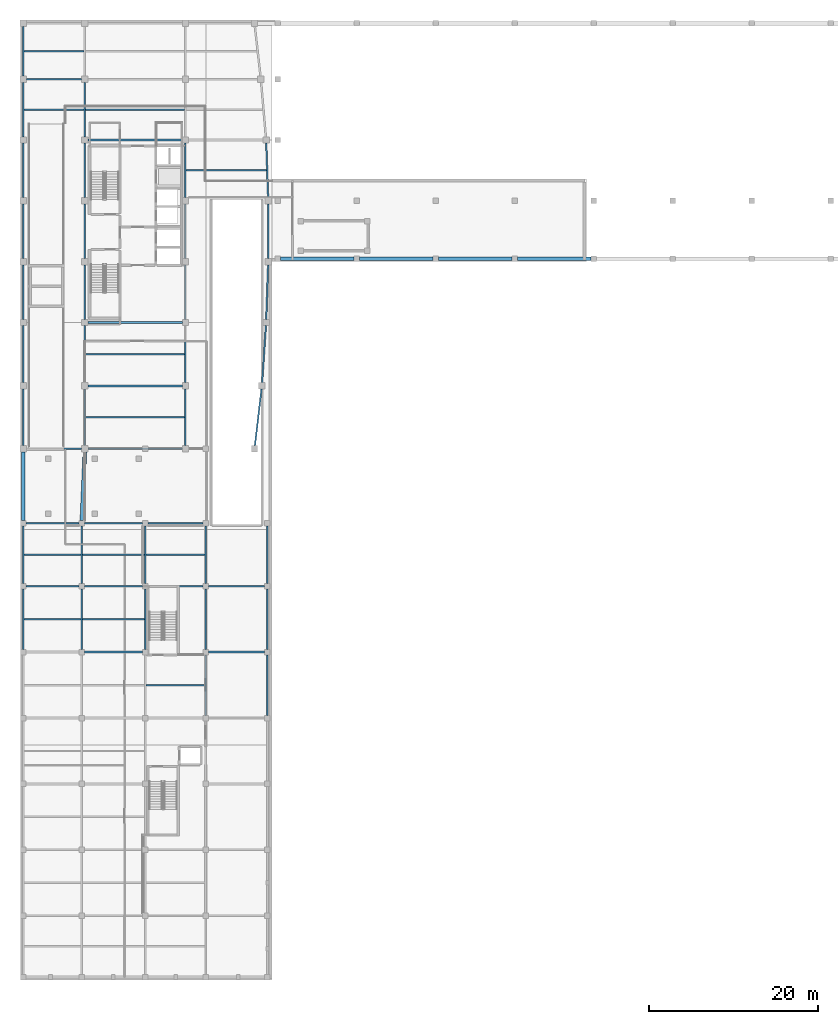
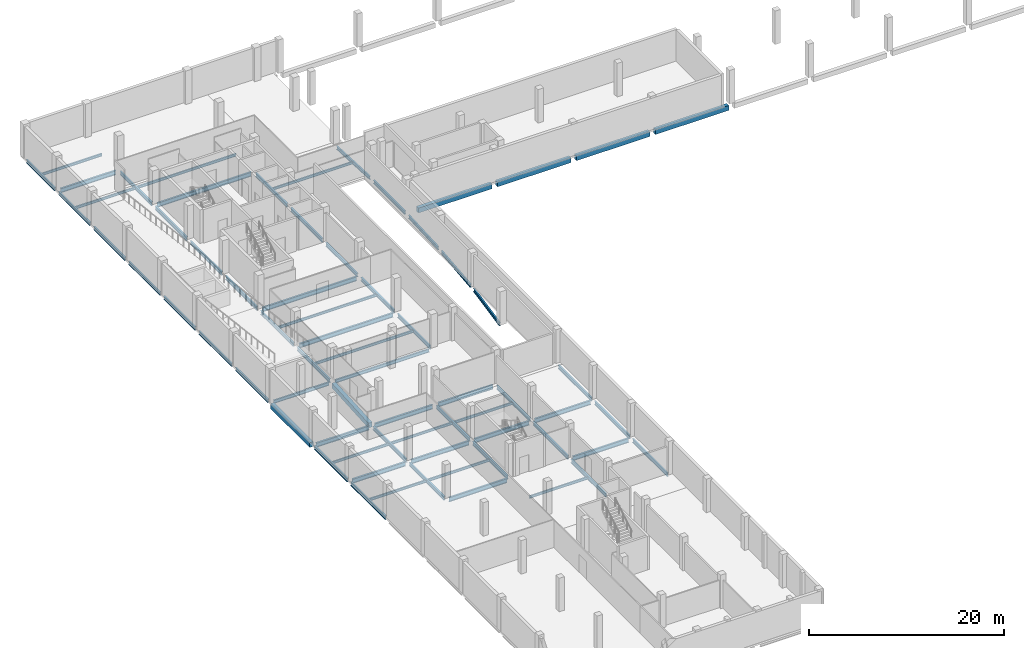
# One storey, part 3 of 15: 68 beams.
"""IFC4 building model written with IfcOpenShell, lengths in metres."""

from ifc_helpers import new_model, si_unit, direction, frame, origin, origin_2d, place, context, subcontext, project, spatial, rectangle, i_section, extrude, material, material_profile, profile_set, type_object, element, save


model = new_model("IFC4")

# Units and contexts
model_context = context("Model", 3, precision=1e-05, world=origin(), true_north=direction((0.0, 1.0)))
body_context = subcontext(model_context, "Body", "Model", "MODEL_VIEW")
ifc_project = project(units=[si_unit("LENGTHUNIT", "METRE"), si_unit("AREAUNIT", "SQUARE_METRE"), si_unit("VOLUMEUNIT", "CUBIC_METRE"), si_unit("PLANEANGLEUNIT", "RADIAN"), si_unit("MASSUNIT", "GRAM", prefix="KILO")], contexts=[model_context])

# Site, building, storey
site_placement = place(None, origin())
site = spatial("IfcSite", under=ifc_project, at=site_placement, CompositionType="ELEMENT")
building_placement = place(site_placement, origin())
building = spatial("IfcBuilding", under=site, at=building_placement, Name="Quillay Park Conservatory", CompositionType="ELEMENT")
storey_placement = place(building_placement, frame((0.0, 0.0, -4.199951171875)))
storey = spatial("IfcBuildingStorey", under=building, at=storey_placement, Name="B1", CompositionType="ELEMENT", Elevation=-4.199951171875)

# Beams
ifc_material_1 = material(Name="Concrete C35/45 (NCh170 Concrete C35/45)", Category="concrete")
ifc_material_profile_1 = material_profile(ifc_material_1, rectangle(XDim=0.449951171875, YDim=0.60009765625, at=origin_2d()), Name="RC600x450")
ifc_profile_set_1 = profile_set([ifc_material_profile_1], Name="Concrete C35/45 (NCh170 Concrete C35/45)")
beam_type_1 = type_object("IfcBeamType", Name="BASEMENT TIE GIRDER RC600", PredefinedType="BEAM", material=ifc_profile_set_1)
beam_1_placement = place(storey_placement, frame((0.550048828125, 54.574951171875, -0.5400390625), z_axis=(0.0, 1.0, 0.0), x_axis=(-1.0, 0.0, 0.0)))
element("IfcBeam", 1, at=beam_1_placement, inside=storey, type_object=beam_type_1, Name="B1 beam BM-SUBLINK-1544", PredefinedType="BEAM", context=body_context, shape_type="SweptSolid", body=[
    extrude(rectangle(XDim=0.449951171875, YDim=0.60009765625, at=origin_2d()), origin(), (0.0, 0.0, 1.0), 8.10009765625),
])
beam_2_placement = place(storey_placement, frame((7.5, 54.574951171875, -0.5400390625), z_axis=(0.0431810975, 0.999067261409, 0.0), x_axis=(-0.999067261409, 0.0431810975, 0.0)))
element("IfcBeam", 2, at=beam_2_placement, inside=storey, type_object=beam_type_1, Name="B1 beam BM-SUBLINK-1545", PredefinedType="BEAM", context=body_context, shape_type="SweptSolid", body=[
    extrude(rectangle(XDim=0.449951171875, YDim=0.60009765625, at=origin_2d()), origin(), (0.0, 0.0, 1.0), 8.107666015625),
])
for number, where, z_axis, x_axis, name in (
    (3, (30.97509765625, 85.550048828125, -0.5400390625), (1.0, 0.0, 0.0), (0.0, 1.0, 0.0), "B1 beam BM-SUBN-1546"),
    (4, (40.33056640625, 85.550048828125, -0.5400390625), (1.0, 0.0, 0.0), (0.0, 1.0, 0.0), "B1 beam BM-SUBN-1547"),
    (5, (49.68603515625, 85.550048828125, -0.5400390625), (1.0, 0.0, 0.0), (0.0, 1.0, 0.0), "B1 beam BM-SUBN-1548"),
    (6, (59.041748046875, 85.550048828125, -0.5400390625), (1.0, 0.0, 0.0), (0.0, 1.0, 0.0), "B1 beam BM-SUBN-1549"),
):
    element("IfcBeam", number, at=place(storey_placement, frame(where, z_axis=z_axis, x_axis=x_axis)), inside=storey, type_object=beam_type_1, Name=name, PredefinedType="BEAM", context=body_context, shape_type="SweptSolid", body=[
        extrude(rectangle(XDim=0.449951171875, YDim=0.60009765625, at=origin_2d()), origin(), (0.0, 0.0, 1.0), 8.70556640625),
    ])
ifc_material_2 = material(Name="Steel ASTM A992 Grade 50", Category="steel")
ifc_material_profile_2 = material_profile(ifc_material_2, i_section(OverallWidth=0.166015625, OverallDepth=0.31298828125, WebThickness=0.006591796875, FlangeThickness=0.01123046875, FilletRadius=0.010009765625, at=origin_2d()), Name="W310x45")
ifc_profile_set_2 = profile_set([ifc_material_profile_2], Name="Steel ASTM A992 Grade 50")
beam_type_2 = type_object("IfcBeamType", Name="COMPOSITE FLOOR JOIST W310 X45", PredefinedType="JOIST", material=ifc_profile_set_2)
for number, where, z_axis, x_axis, name in (
    (7, (7.946044921875, 66.77490234375, -0.396484375), (1.0, 0.0, 0.0), (0.0, 1.0, 0.0), "B1 beam BM-J-0017"),
    (8, (7.946044921875, 74.25, -0.396484375), (1.0, 0.0, 0.0), (0.0, 1.0, 0.0), "B1 beam BM-J-0022"),
):
    element("IfcBeam", number, at=place(storey_placement, frame(where, z_axis=z_axis, x_axis=x_axis)), inside=storey, type_object=beam_type_2, Name=name, PredefinedType="JOIST", context=body_context, shape_type="SweptSolid", body=[
        extrude(i_section(OverallWidth=0.166015625, OverallDepth=0.31298828125, WebThickness=0.006591796875, FlangeThickness=0.01123046875, FilletRadius=0.010009765625, at=origin_2d()), origin(), (0.0, 0.0, 1.0), 11.7080078125),
    ])
beam_3_placement = place(storey_placement, frame((19.845947265625, 96.0, -0.396484375), z_axis=(1.0, 0.0, 0.0), x_axis=(0.0, 1.0, 0.0)))
element("IfcBeam", 9, at=beam_3_placement, inside=storey, type_object=beam_type_2, Name="B1 beam BM-J-0035", PredefinedType="JOIST", context=body_context, shape_type="SweptSolid", body=[
    extrude(i_section(OverallWidth=0.166015625, OverallDepth=0.31298828125, WebThickness=0.006591796875, FlangeThickness=0.01123046875, FilletRadius=0.010009765625, at=origin_2d()), origin(), (0.0, 0.0, 1.0), 9.489013671875),
])
beam_4_placement = place(storey_placement, frame((0.639892578125, 103.199951171875, -0.396484375), z_axis=(1.0, 0.0, 0.0), x_axis=(0.0, 1.0, 0.0)))
element("IfcBeam", 10, at=beam_4_placement, inside=storey, type_object=beam_type_2, Name="B1 beam BM-J-0040", PredefinedType="JOIST", context=body_context, shape_type="SweptSolid", body=[
    extrude(i_section(OverallWidth=0.166015625, OverallDepth=0.31298828125, WebThickness=0.006591796875, FlangeThickness=0.01123046875, FilletRadius=0.010009765625, at=origin_2d()), origin(), (0.0, 0.0, 1.0), 7.114013671875),
])
beam_5_placement = place(storey_placement, frame((7.946044921875, 103.199951171875, -0.396484375), z_axis=(1.0, 0.0, 0.0), x_axis=(0.0, 1.0, 0.0)))
element("IfcBeam", 11, at=beam_5_placement, inside=storey, type_object=beam_type_2, Name="B1 beam BM-J-0042", PredefinedType="JOIST", context=body_context, shape_type="SweptSolid", body=[
    extrude(i_section(OverallWidth=0.166015625, OverallDepth=0.31298828125, WebThickness=0.006591796875, FlangeThickness=0.01123046875, FilletRadius=0.010009765625, at=origin_2d()), origin(), (0.0, 0.0, 1.0), 11.7080078125),
])
beam_6_placement = place(storey_placement, frame((0.639892578125, 110.10009765625, -0.396484375), z_axis=(1.0, 0.0, 0.0), x_axis=(0.0, 1.0, 0.0)))
element("IfcBeam", 12, at=beam_6_placement, inside=storey, type_object=beam_type_2, Name="B1 beam BM-J-0047", PredefinedType="JOIST", context=body_context, shape_type="SweptSolid", body=[
    extrude(i_section(OverallWidth=0.166015625, OverallDepth=0.31298828125, WebThickness=0.006591796875, FlangeThickness=0.01123046875, FilletRadius=0.010009765625, at=origin_2d()), origin(), (0.0, 0.0, 1.0), 7.114013671875),
])
beam_7_placement = place(storey_placement, frame((15.095947265625, 35.10009765625, -0.396484375), z_axis=(1.0, 0.0, 0.0), x_axis=(0.0, 1.0, 0.0)))
element("IfcBeam", 13, at=beam_7_placement, inside=storey, type_object=beam_type_2, Name="B1 beam BM-V3J-1172", PredefinedType="JOIST", context=body_context, shape_type="SweptSolid", body=[
    extrude(i_section(OverallWidth=0.166015625, OverallDepth=0.31298828125, WebThickness=0.006591796875, FlangeThickness=0.01123046875, FilletRadius=0.010009765625, at=origin_2d()), origin(), (0.0, 0.0, 1.0), 6.9580078125),
])
beam_8_placement = place(storey_placement, frame((0.64599609375, 42.89990234375, -0.396484375), z_axis=(1.0, 0.0, 0.0), x_axis=(0.0, 1.0, 0.0)))
element("IfcBeam", 14, at=beam_8_placement, inside=storey, type_object=beam_type_2, Name="B1 beam BM-V3J-1173", PredefinedType="JOIST", context=body_context, shape_type="SweptSolid", body=[
    extrude(i_section(OverallWidth=0.166015625, OverallDepth=0.31298828125, WebThickness=0.006591796875, FlangeThickness=0.01123046875, FilletRadius=0.010009765625, at=origin_2d()), origin(), (0.0, 0.0, 1.0), 6.758056640625),
])
beam_9_placement = place(storey_placement, frame((7.595947265625, 42.89990234375, -0.396484375), z_axis=(1.0, 0.0, 0.0), x_axis=(0.0, 1.0, 0.0)))
element("IfcBeam", 15, at=beam_9_placement, inside=storey, type_object=beam_type_2, Name="B1 beam BM-V3J-1174", PredefinedType="JOIST", context=body_context, shape_type="SweptSolid", body=[
    extrude(i_section(OverallWidth=0.166015625, OverallDepth=0.31298828125, WebThickness=0.006591796875, FlangeThickness=0.01123046875, FilletRadius=0.010009765625, at=origin_2d()), origin(), (0.0, 0.0, 1.0), 7.30810546875),
])
beam_10_placement = place(storey_placement, frame((0.64599609375, 50.52490234375, -0.396484375), z_axis=(1.0, 0.0, 0.0), x_axis=(0.0, 1.0, 0.0)))
element("IfcBeam", 16, at=beam_10_placement, inside=storey, type_object=beam_type_2, Name="B1 beam BM-V3J-1175", PredefinedType="JOIST", context=body_context, shape_type="SweptSolid", body=[
    extrude(i_section(OverallWidth=0.166015625, OverallDepth=0.31298828125, WebThickness=0.006591796875, FlangeThickness=0.01123046875, FilletRadius=0.010009765625, at=origin_2d()), origin(), (0.0, 0.0, 1.0), 6.758056640625),
])
beam_11_placement = place(storey_placement, frame((7.595947265625, 50.52490234375, -0.396484375), z_axis=(1.0, 0.0, 0.0), x_axis=(0.0, 1.0, 0.0)))
element("IfcBeam", 17, at=beam_11_placement, inside=storey, type_object=beam_type_2, Name="B1 beam BM-V3J-1176", PredefinedType="JOIST", context=body_context, shape_type="SweptSolid", body=[
    extrude(i_section(OverallWidth=0.166015625, OverallDepth=0.31298828125, WebThickness=0.006591796875, FlangeThickness=0.01123046875, FilletRadius=0.010009765625, at=origin_2d()), origin(), (0.0, 0.0, 1.0), 7.30810546875),
])
beam_12_placement = place(storey_placement, frame((15.095947265625, 50.52490234375, -0.396484375), z_axis=(1.0, 0.0, 0.0), x_axis=(0.0, 1.0, 0.0)))
element("IfcBeam", 18, at=beam_12_placement, inside=storey, type_object=beam_type_2, Name="B1 beam BM-V3J-1177", PredefinedType="JOIST", context=body_context, shape_type="SweptSolid", body=[
    extrude(i_section(OverallWidth=0.166015625, OverallDepth=0.31298828125, WebThickness=0.006591796875, FlangeThickness=0.01123046875, FilletRadius=0.010009765625, at=origin_2d()), origin(), (0.0, 0.0, 1.0), 6.9580078125),
])
ifc_material_3 = material(Name="Steel ASTM A992 Grade 50", Category="steel")
ifc_material_profile_3 = material_profile(ifc_material_3, i_section(OverallWidth=0.179931640625, OverallDepth=0.4130859375, WebThickness=0.009765625, FlangeThickness=0.01611328125, FilletRadius=0.011962890625, at=origin_2d()), Name="W410x74")
ifc_profile_set_3 = profile_set([ifc_material_profile_3], Name="Steel ASTM A992 Grade 50")
beam_type_3 = type_object("IfcBeamType", Name="PERIMETER SPANDREL BEAM W410 X74", PredefinedType="SPANDREL", material=ifc_profile_set_3)
beam_13_placement = place(storey_placement, frame((0.925048828125, 63.050048828125, -0.446533203125), z_axis=(1.0, 0.0, 0.0), x_axis=(0.0, 1.0, 0.0)))
element("IfcBeam", 19, at=beam_13_placement, inside=storey, type_object=beam_type_3, Name="B1 beam BM-SP-0001", PredefinedType="SPANDREL", context=body_context, shape_type="SweptSolid", body=[
    extrude(i_section(OverallWidth=0.179931640625, OverallDepth=0.4130859375, WebThickness=0.009765625, FlangeThickness=0.01611328125, FilletRadius=0.011962890625, at=origin_2d()), origin(), (0.0, 0.0, 1.0), 6.550048828125),
])
beam_14_placement = place(storey_placement, frame((8.22509765625, 63.050048828125, -0.446533203125), z_axis=(1.0, 0.0, 0.0), x_axis=(0.0, 1.0, 0.0)))
element("IfcBeam", 20, at=beam_14_placement, inside=storey, type_object=beam_type_3, Name="B1 beam BM-SP-0002", PredefinedType="SPANDREL", context=body_context, shape_type="SweptSolid", body=[
    extrude(i_section(OverallWidth=0.179931640625, OverallDepth=0.4130859375, WebThickness=0.009765625, FlangeThickness=0.01611328125, FilletRadius=0.011962890625, at=origin_2d()), origin(), (0.0, 0.0, 1.0), 11.14990234375),
])
beam_15_placement = place(storey_placement, frame((0.550048828125, 63.425048828125, -0.446533203125), z_axis=(0.0, 1.0, 0.0), x_axis=(-1.0, 0.0, 0.0)))
element("IfcBeam", 21, at=beam_15_placement, inside=storey, type_object=beam_type_3, Name="B1 beam BM-SPW-0013", PredefinedType="SPANDREL", context=body_context, shape_type="SweptSolid", body=[
    extrude(i_section(OverallWidth=0.179931640625, OverallDepth=0.4130859375, WebThickness=0.009765625, FlangeThickness=0.01611328125, FilletRadius=0.011962890625, at=origin_2d()), origin(), (0.0, 0.0, 1.0), 6.699951171875),
])
beam_16_placement = place(storey_placement, frame((27.96875, 63.42236328125, -0.446533203125), z_axis=(0.116656612699, 0.993172308672, 0.0), x_axis=(-0.993172308672, 0.116656612699, 0.0)))
element("IfcBeam", 22, at=beam_16_placement, inside=storey, type_object=beam_type_3, Name="B1 beam BM-SPE-0014", PredefinedType="SPANDREL", context=body_context, shape_type="SweptSolid", body=[
    extrude(i_section(OverallWidth=0.179931640625, OverallDepth=0.4130859375, WebThickness=0.009765625, FlangeThickness=0.01611328125, FilletRadius=0.011962890625, at=origin_2d()), origin(), (0.0, 0.0, 1.0), 6.75146484375),
])
beam_17_placement = place(storey_placement, frame((0.550048828125, 70.875, -0.446533203125), z_axis=(0.0, 1.0, 0.0), x_axis=(-1.0, 0.0, 0.0)))
element("IfcBeam", 23, at=beam_17_placement, inside=storey, type_object=beam_type_3, Name="B1 beam BM-SPW-0018", PredefinedType="SPANDREL", context=body_context, shape_type="SweptSolid", body=[
    extrude(i_section(OverallWidth=0.179931640625, OverallDepth=0.4130859375, WebThickness=0.009765625, FlangeThickness=0.01611328125, FilletRadius=0.011962890625, at=origin_2d()), origin(), (0.0, 0.0, 1.0), 6.75),
])
beam_18_placement = place(storey_placement, frame((28.824951171875, 70.874267578125, -0.446533203125), z_axis=(0.06653337906, 0.99778419985, 0.0), x_axis=(-0.99778419985, 0.06653337906, 0.0)))
element("IfcBeam", 24, at=beam_18_placement, inside=storey, type_object=beam_type_3, Name="B1 beam BM-SPE-0019", PredefinedType="SPANDREL", context=body_context, shape_type="SweptSolid", body=[
    extrude(i_section(OverallWidth=0.179931640625, OverallDepth=0.4130859375, WebThickness=0.009765625, FlangeThickness=0.01611328125, FilletRadius=0.011962890625, at=origin_2d()), origin(), (0.0, 0.0, 1.0), 6.766357421875),
])
beam_19_placement = place(storey_placement, frame((0.550048828125, 78.375, -0.446533203125), z_axis=(0.0, 1.0, 0.0), x_axis=(-1.0, 0.0, 0.0)))
element("IfcBeam", 25, at=beam_19_placement, inside=storey, type_object=beam_type_3, Name="B1 beam BM-SPW-0023", PredefinedType="SPANDREL", context=body_context, shape_type="SweptSolid", body=[
    extrude(i_section(OverallWidth=0.179931640625, OverallDepth=0.4130859375, WebThickness=0.009765625, FlangeThickness=0.01611328125, FilletRadius=0.011962890625, at=origin_2d()), origin(), (0.0, 0.0, 1.0), 6.449951171875),
])
beam_20_placement = place(storey_placement, frame((29.31298828125, 78.374755859375, -0.446533203125), z_axis=(0.034724135599, 0.99939693536, 0.0), x_axis=(-0.99939693536, 0.034724135599, 0.0)))
element("IfcBeam", 26, at=beam_20_placement, inside=storey, type_object=beam_type_3, Name="B1 beam BM-SPE-0024", PredefinedType="SPANDREL", context=body_context, shape_type="SweptSolid", body=[
    extrude(i_section(OverallWidth=0.179931640625, OverallDepth=0.4130859375, WebThickness=0.009765625, FlangeThickness=0.01611328125, FilletRadius=0.011962890625, at=origin_2d()), origin(), (0.0, 0.0, 1.0), 6.454345703125),
])
for number, where, z_axis, x_axis, name in (
    (27, (0.550048828125, 85.574951171875, -0.446533203125), (0.0, 1.0, 0.0), (-1.0, 0.0, 0.0), "B1 beam BM-SPW-0027"),
    (28, (29.550048828125, 85.574951171875, -0.446533203125), (0.0, 1.0, 0.0), (-1.0, 0.0, 0.0), "B1 beam BM-SPE-0028"),
):
    element("IfcBeam", number, at=place(storey_placement, frame(where, z_axis=z_axis, x_axis=x_axis)), inside=storey, type_object=beam_type_3, Name=name, PredefinedType="SPANDREL", context=body_context, shape_type="SweptSolid", body=[
        extrude(i_section(OverallWidth=0.179931640625, OverallDepth=0.4130859375, WebThickness=0.009765625, FlangeThickness=0.01611328125, FilletRadius=0.011962890625, at=origin_2d()), origin(), (0.0, 0.0, 1.0), 6.449951171875),
    ])
beam_21_placement = place(storey_placement, frame((0.550048828125, 92.77490234375, -0.446533203125), z_axis=(0.0, 1.0, 0.0), x_axis=(-1.0, 0.0, 0.0)))
element("IfcBeam", 29, at=beam_21_placement, inside=storey, type_object=beam_type_3, Name="B1 beam BM-SPW-0031", PredefinedType="SPANDREL", context=body_context, shape_type="SweptSolid", body=[
    extrude(i_section(OverallWidth=0.179931640625, OverallDepth=0.4130859375, WebThickness=0.009765625, FlangeThickness=0.01611328125, FilletRadius=0.011962890625, at=origin_2d()), origin(), (0.0, 0.0, 1.0), 6.4501953125),
])
beam_22_placement = place(storey_placement, frame((29.537109375, 92.77490234375, -0.446533203125), z_axis=(-0.034725448327, 0.999396889748, 0.0), x_axis=(-0.999396889748, -0.034725448327, 0.0)))
element("IfcBeam", 30, at=beam_22_placement, inside=storey, type_object=beam_type_3, Name="B1 beam BM-SPE-0032", PredefinedType="SPANDREL", context=body_context, shape_type="SweptSolid", body=[
    extrude(i_section(OverallWidth=0.179931640625, OverallDepth=0.4130859375, WebThickness=0.009765625, FlangeThickness=0.01611328125, FilletRadius=0.011962890625, at=origin_2d()), origin(), (0.0, 0.0, 1.0), 6.4541015625),
])
beam_23_placement = place(storey_placement, frame((0.550048828125, 99.97509765625, -0.446533203125), z_axis=(0.0, 1.0, 0.0), x_axis=(-1.0, 0.0, 0.0)))
element("IfcBeam", 31, at=beam_23_placement, inside=storey, type_object=beam_type_3, Name="B1 beam BM-SPW-0036", PredefinedType="SPANDREL", context=body_context, shape_type="SweptSolid", body=[
    extrude(i_section(OverallWidth=0.179931640625, OverallDepth=0.4130859375, WebThickness=0.009765625, FlangeThickness=0.01611328125, FilletRadius=0.011962890625, at=origin_2d()), origin(), (0.0, 0.0, 1.0), 6.449951171875),
])
beam_24_placement = place(storey_placement, frame((0.550048828125, 107.175048828125, -0.446533203125), z_axis=(0.0, 1.0, 0.0), x_axis=(-1.0, 0.0, 0.0)))
element("IfcBeam", 32, at=beam_24_placement, inside=storey, type_object=beam_type_3, Name="B1 beam BM-SPW-0043", PredefinedType="SPANDREL", context=body_context, shape_type="SweptSolid", body=[
    extrude(i_section(OverallWidth=0.179931640625, OverallDepth=0.4130859375, WebThickness=0.009765625, FlangeThickness=0.01611328125, FilletRadius=0.011962890625, at=origin_2d()), origin(), (0.0, 0.0, 1.0), 5.849853515625),
])
ifc_material_4 = material(Name="Steel ASTM A992 Grade 50", Category="steel")
ifc_material_profile_4 = material_profile(ifc_material_4, i_section(OverallWidth=0.19189453125, OverallDepth=0.462890625, WebThickness=0.010498046875, FlangeThickness=0.017578125, FilletRadius=0.012939453125, at=origin_2d()), Name="W460x89")
ifc_profile_set_4 = profile_set([ifc_material_profile_4], Name="Steel ASTM A992 Grade 50")
beam_type_4 = type_object("IfcBeamType", Name="PRIMARY FLOOR GIRDER W460 X89", PredefinedType="BEAM", material=ifc_profile_set_4)
for number, where, z_axis, x_axis, name in (
    (33, (7.85009765625, 63.425048828125, -0.471435546875), (0.0, 1.0, 0.0), (-1.0, 0.0, 0.0), "B1 beam BM-GNS-0015"),
    (34, (19.75, 63.425048828125, -0.471435546875), (0.0, 1.0, 0.0), (-1.0, 0.0, 0.0), "B1 beam BM-GNS-0016"),
):
    element("IfcBeam", number, at=place(storey_placement, frame(where, z_axis=z_axis, x_axis=x_axis)), inside=storey, type_object=beam_type_4, Name=name, PredefinedType="BEAM", context=body_context, shape_type="SweptSolid", body=[
        extrude(i_section(OverallWidth=0.19189453125, OverallDepth=0.462890625, WebThickness=0.010498046875, FlangeThickness=0.017578125, FilletRadius=0.012939453125, at=origin_2d()), origin(), (0.0, 0.0, 1.0), 6.699951171875),
    ])
for number, where, z_axis, x_axis, name in (
    (35, (7.85009765625, 70.875, -0.471435546875), (0.0, 1.0, 0.0), (-1.0, 0.0, 0.0), "B1 beam BM-GNS-0020"),
    (36, (19.75, 70.875, -0.471435546875), (0.0, 1.0, 0.0), (-1.0, 0.0, 0.0), "B1 beam BM-GNS-0021"),
):
    element("IfcBeam", number, at=place(storey_placement, frame(where, z_axis=z_axis, x_axis=x_axis)), inside=storey, type_object=beam_type_4, Name=name, PredefinedType="BEAM", context=body_context, shape_type="SweptSolid", body=[
        extrude(i_section(OverallWidth=0.19189453125, OverallDepth=0.462890625, WebThickness=0.010498046875, FlangeThickness=0.017578125, FilletRadius=0.012939453125, at=origin_2d()), origin(), (0.0, 0.0, 1.0), 6.75),
    ])
for number, where, z_axis, x_axis, name in (
    (37, (7.85009765625, 78.375, -0.471435546875), (0.0, 1.0, 0.0), (-1.0, 0.0, 0.0), "B1 beam BM-GNS-0025"),
    (38, (19.75, 78.375, -0.471435546875), (0.0, 1.0, 0.0), (-1.0, 0.0, 0.0), "B1 beam BM-GNS-0026"),
    (39, (7.85009765625, 85.574951171875, -0.471435546875), (0.0, 1.0, 0.0), (-1.0, 0.0, 0.0), "B1 beam BM-GNS-0029"),
    (40, (19.75, 85.574951171875, -0.471435546875), (0.0, 1.0, 0.0), (-1.0, 0.0, 0.0), "B1 beam BM-GNS-0030"),
):
    element("IfcBeam", number, at=place(storey_placement, frame(where, z_axis=z_axis, x_axis=x_axis)), inside=storey, type_object=beam_type_4, Name=name, PredefinedType="BEAM", context=body_context, shape_type="SweptSolid", body=[
        extrude(i_section(OverallWidth=0.19189453125, OverallDepth=0.462890625, WebThickness=0.010498046875, FlangeThickness=0.017578125, FilletRadius=0.012939453125, at=origin_2d()), origin(), (0.0, 0.0, 1.0), 6.449951171875),
    ])
for number, where, z_axis, x_axis, name in (
    (41, (7.85009765625, 92.77490234375, -0.471435546875), (0.0, 1.0, 0.0), (-1.0, 0.0, 0.0), "B1 beam BM-GNS-0033"),
    (42, (19.75, 92.77490234375, -0.471435546875), (0.0, 1.0, 0.0), (-1.0, 0.0, 0.0), "B1 beam BM-GNS-0034"),
):
    element("IfcBeam", number, at=place(storey_placement, frame(where, z_axis=z_axis, x_axis=x_axis)), inside=storey, type_object=beam_type_4, Name=name, PredefinedType="BEAM", context=body_context, shape_type="SweptSolid", body=[
        extrude(i_section(OverallWidth=0.19189453125, OverallDepth=0.462890625, WebThickness=0.010498046875, FlangeThickness=0.017578125, FilletRadius=0.012939453125, at=origin_2d()), origin(), (0.0, 0.0, 1.0), 6.4501953125),
    ])
beam_25_placement = place(storey_placement, frame((7.85009765625, 99.97509765625, -0.471435546875), z_axis=(0.0, 1.0, 0.0), x_axis=(-1.0, 0.0, 0.0)))
element("IfcBeam", 43, at=beam_25_placement, inside=storey, type_object=beam_type_4, Name="B1 beam BM-GNS-0038", PredefinedType="BEAM", context=body_context, shape_type="SweptSolid", body=[
    extrude(i_section(OverallWidth=0.19189453125, OverallDepth=0.462890625, WebThickness=0.010498046875, FlangeThickness=0.017578125, FilletRadius=0.012939453125, at=origin_2d()), origin(), (0.0, 0.0, 1.0), 6.449951171875),
])
beam_26_placement = place(storey_placement, frame((0.550048828125, 39.324951171875, -0.471435546875), z_axis=(0.0, 1.0, 0.0), x_axis=(-1.0, 0.0, 0.0)))
element("IfcBeam", 44, at=beam_26_placement, inside=storey, type_object=beam_type_4, Name="B1 beam BM-V3Y-1130", PredefinedType="BEAM", context=body_context, shape_type="SweptSolid", body=[
    extrude(i_section(OverallWidth=0.19189453125, OverallDepth=0.462890625, WebThickness=0.010498046875, FlangeThickness=0.017578125, FilletRadius=0.012939453125, at=origin_2d()), origin(), (0.0, 0.0, 1.0), 7.150146484375),
])
beam_27_placement = place(storey_placement, frame((0.550048828125, 47.125, -0.471435546875), z_axis=(0.0, 1.0, 0.0), x_axis=(-1.0, 0.0, 0.0)))
element("IfcBeam", 45, at=beam_27_placement, inside=storey, type_object=beam_type_4, Name="B1 beam BM-V3Y-1131", PredefinedType="BEAM", context=body_context, shape_type="SweptSolid", body=[
    extrude(i_section(OverallWidth=0.19189453125, OverallDepth=0.462890625, WebThickness=0.010498046875, FlangeThickness=0.017578125, FilletRadius=0.012939453125, at=origin_2d()), origin(), (0.0, 0.0, 1.0), 6.800048828125),
])
beam_28_placement = place(storey_placement, frame((7.5, 39.324951171875, -0.471435546875), z_axis=(0.0, 1.0, 0.0), x_axis=(-1.0, 0.0, 0.0)))
element("IfcBeam", 46, at=beam_28_placement, inside=storey, type_object=beam_type_4, Name="B1 beam BM-V3Y-1137", PredefinedType="BEAM", context=body_context, shape_type="SweptSolid", body=[
    extrude(i_section(OverallWidth=0.19189453125, OverallDepth=0.462890625, WebThickness=0.010498046875, FlangeThickness=0.017578125, FilletRadius=0.012939453125, at=origin_2d()), origin(), (0.0, 0.0, 1.0), 7.150146484375),
])
beam_29_placement = place(storey_placement, frame((7.5, 47.125, -0.471435546875), z_axis=(0.0, 1.0, 0.0), x_axis=(-1.0, 0.0, 0.0)))
element("IfcBeam", 47, at=beam_29_placement, inside=storey, type_object=beam_type_4, Name="B1 beam BM-V3Y-1138", PredefinedType="BEAM", context=body_context, shape_type="SweptSolid", body=[
    extrude(i_section(OverallWidth=0.19189453125, OverallDepth=0.462890625, WebThickness=0.010498046875, FlangeThickness=0.017578125, FilletRadius=0.012939453125, at=origin_2d()), origin(), (0.0, 0.0, 1.0), 6.800048828125),
])
beam_30_placement = place(storey_placement, frame((15.0, 39.324951171875, -0.471435546875), z_axis=(0.0, 1.0, 0.0), x_axis=(-1.0, 0.0, 0.0)))
element("IfcBeam", 48, at=beam_30_placement, inside=storey, type_object=beam_type_4, Name="B1 beam BM-V3Y-1144", PredefinedType="BEAM", context=body_context, shape_type="SweptSolid", body=[
    extrude(i_section(OverallWidth=0.19189453125, OverallDepth=0.462890625, WebThickness=0.010498046875, FlangeThickness=0.017578125, FilletRadius=0.012939453125, at=origin_2d()), origin(), (0.0, 0.0, 1.0), 7.150146484375),
])
beam_31_placement = place(storey_placement, frame((15.0, 47.125, -0.471435546875), z_axis=(0.0, 1.0, 0.0), x_axis=(-1.0, 0.0, 0.0)))
element("IfcBeam", 49, at=beam_31_placement, inside=storey, type_object=beam_type_4, Name="B1 beam BM-V3Y-1145", PredefinedType="BEAM", context=body_context, shape_type="SweptSolid", body=[
    extrude(i_section(OverallWidth=0.19189453125, OverallDepth=0.462890625, WebThickness=0.010498046875, FlangeThickness=0.017578125, FilletRadius=0.012939453125, at=origin_2d()), origin(), (0.0, 0.0, 1.0), 6.800048828125),
])
for number, where, z_axis, x_axis, name in (
    (50, (22.14990234375, 31.52490234375, -0.471435546875), (0.0, 1.0, 0.0), (-1.0, 0.0, 0.0), "B1 beam BM-V3Y-1150"),
    (51, (22.14990234375, 39.324951171875, -0.471435546875), (0.0, 1.0, 0.0), (-1.0, 0.0, 0.0), "B1 beam BM-V3Y-1151"),
):
    element("IfcBeam", number, at=place(storey_placement, frame(where, z_axis=z_axis, x_axis=x_axis)), inside=storey, type_object=beam_type_4, Name=name, PredefinedType="BEAM", context=body_context, shape_type="SweptSolid", body=[
        extrude(i_section(OverallWidth=0.19189453125, OverallDepth=0.462890625, WebThickness=0.010498046875, FlangeThickness=0.017578125, FilletRadius=0.012939453125, at=origin_2d()), origin(), (0.0, 0.0, 1.0), 7.150146484375),
    ])
beam_32_placement = place(storey_placement, frame((22.14990234375, 47.125, -0.471435546875), z_axis=(0.0, 1.0, 0.0), x_axis=(-1.0, 0.0, 0.0)))
element("IfcBeam", 52, at=beam_32_placement, inside=storey, type_object=beam_type_4, Name="B1 beam BM-V3Y-1152", PredefinedType="BEAM", context=body_context, shape_type="SweptSolid", body=[
    extrude(i_section(OverallWidth=0.19189453125, OverallDepth=0.462890625, WebThickness=0.010498046875, FlangeThickness=0.017578125, FilletRadius=0.012939453125, at=origin_2d()), origin(), (0.0, 0.0, 1.0), 6.800048828125),
])
for number, where, z_axis, x_axis, name in (
    (53, (29.449951171875, 31.52490234375, -0.471435546875), (0.0, 1.0, 0.0), (-1.0, 0.0, 0.0), "B1 beam BM-V3Y-1157"),
    (54, (29.449951171875, 39.324951171875, -0.471435546875), (0.0, 1.0, 0.0), (-1.0, 0.0, 0.0), "B1 beam BM-V3Y-1158"),
):
    element("IfcBeam", number, at=place(storey_placement, frame(where, z_axis=z_axis, x_axis=x_axis)), inside=storey, type_object=beam_type_4, Name=name, PredefinedType="BEAM", context=body_context, shape_type="SweptSolid", body=[
        extrude(i_section(OverallWidth=0.19189453125, OverallDepth=0.462890625, WebThickness=0.010498046875, FlangeThickness=0.017578125, FilletRadius=0.012939453125, at=origin_2d()), origin(), (0.0, 0.0, 1.0), 7.150146484375),
    ])
beam_33_placement = place(storey_placement, frame((29.449951171875, 47.125, -0.471435546875), z_axis=(0.0, 1.0, 0.0), x_axis=(-1.0, 0.0, 0.0)))
element("IfcBeam", 55, at=beam_33_placement, inside=storey, type_object=beam_type_4, Name="B1 beam BM-V3Y-1159", PredefinedType="BEAM", context=body_context, shape_type="SweptSolid", body=[
    extrude(i_section(OverallWidth=0.19189453125, OverallDepth=0.462890625, WebThickness=0.010498046875, FlangeThickness=0.017578125, FilletRadius=0.012939453125, at=origin_2d()), origin(), (0.0, 0.0, 1.0), 6.800048828125),
])
ifc_material_5 = material(Name="Steel ASTM A992 Grade 50", Category="steel")
ifc_material_profile_5 = material_profile(ifc_material_5, i_section(OverallWidth=0.2109375, OverallDepth=0.5390625, WebThickness=0.01171875, FlangeThickness=0.018798828125, FilletRadius=0.013916015625, at=origin_2d()), Name="W530x109")
ifc_profile_set_5 = profile_set([ifc_material_profile_5], Name="Steel ASTM A992 Grade 50")
beam_type_5 = type_object("IfcBeamType", Name="PRIMARY FLOOR GIRDER W530 X109", PredefinedType="BEAM", material=ifc_profile_set_5)
for number, where, z_axis, x_axis, name in (
    (56, (8.22509765625, 70.5, -0.509521484375), (1.0, 0.0, 0.0), (0.0, 1.0, 0.0), "B1 beam BM-G-0003"),
    (57, (8.22509765625, 78.0, -0.509521484375), (1.0, 0.0, 0.0), (0.0, 1.0, 0.0), "B1 beam BM-G-0004"),
    (58, (8.22509765625, 99.60009765625, -0.509521484375), (1.0, 0.0, 0.0), (0.0, 1.0, 0.0), "B1 beam BM-G-0005"),
):
    element("IfcBeam", number, at=place(storey_placement, frame(where, z_axis=z_axis, x_axis=x_axis)), inside=storey, type_object=beam_type_5, Name=name, PredefinedType="BEAM", context=body_context, shape_type="SweptSolid", body=[
        extrude(i_section(OverallWidth=0.2109375, OverallDepth=0.5390625, WebThickness=0.01171875, FlangeThickness=0.018798828125, FilletRadius=0.013916015625, at=origin_2d()), origin(), (0.0, 0.0, 1.0), 11.14990234375),
    ])
beam_34_placement = place(storey_placement, frame((0.925048828125, 106.800048828125, -0.509521484375), z_axis=(1.0, 0.0, 0.0), x_axis=(0.0, 1.0, 0.0)))
element("IfcBeam", 59, at=beam_34_placement, inside=storey, type_object=beam_type_5, Name="B1 beam BM-G-0007", PredefinedType="BEAM", context=body_context, shape_type="SweptSolid", body=[
    extrude(i_section(OverallWidth=0.2109375, OverallDepth=0.5390625, WebThickness=0.01171875, FlangeThickness=0.018798828125, FilletRadius=0.013916015625, at=origin_2d()), origin(), (0.0, 0.0, 1.0), 6.550048828125),
])
beam_35_placement = place(storey_placement, frame((7.824951171875, 39.0, -0.509521484375), z_axis=(1.0, 0.0, 0.0), x_axis=(0.0, 1.0, 0.0)))
element("IfcBeam", 60, at=beam_35_placement, inside=storey, type_object=beam_type_5, Name="B1 beam BM-V3X-1116", PredefinedType="BEAM", context=body_context, shape_type="SweptSolid", body=[
    extrude(i_section(OverallWidth=0.2109375, OverallDepth=0.5390625, WebThickness=0.01171875, FlangeThickness=0.018798828125, FilletRadius=0.013916015625, at=origin_2d()), origin(), (0.0, 0.0, 1.0), 6.85009765625),
])
beam_36_placement = place(storey_placement, frame((22.47509765625, 39.0, -0.509521484375), z_axis=(1.0, 0.0, 0.0), x_axis=(0.0, 1.0, 0.0)))
element("IfcBeam", 61, at=beam_36_placement, inside=storey, type_object=beam_type_5, Name="B1 beam BM-V3X-1117", PredefinedType="BEAM", context=body_context, shape_type="SweptSolid", body=[
    extrude(i_section(OverallWidth=0.2109375, OverallDepth=0.5390625, WebThickness=0.01171875, FlangeThickness=0.018798828125, FilletRadius=0.013916015625, at=origin_2d()), origin(), (0.0, 0.0, 1.0), 6.64990234375),
])
beam_37_placement = place(storey_placement, frame((0.875, 46.800048828125, -0.509521484375), z_axis=(1.0, 0.0, 0.0), x_axis=(0.0, 1.0, 0.0)))
element("IfcBeam", 62, at=beam_37_placement, inside=storey, type_object=beam_type_5, Name="B1 beam BM-V3X-1118", PredefinedType="BEAM", context=body_context, shape_type="SweptSolid", body=[
    extrude(i_section(OverallWidth=0.2109375, OverallDepth=0.5390625, WebThickness=0.01171875, FlangeThickness=0.018798828125, FilletRadius=0.013916015625, at=origin_2d()), origin(), (0.0, 0.0, 1.0), 6.300048828125),
])
beam_38_placement = place(storey_placement, frame((7.824951171875, 46.800048828125, -0.509521484375), z_axis=(1.0, 0.0, 0.0), x_axis=(0.0, 1.0, 0.0)))
element("IfcBeam", 63, at=beam_38_placement, inside=storey, type_object=beam_type_5, Name="B1 beam BM-V3X-1119", PredefinedType="BEAM", context=body_context, shape_type="SweptSolid", body=[
    extrude(i_section(OverallWidth=0.2109375, OverallDepth=0.5390625, WebThickness=0.01171875, FlangeThickness=0.018798828125, FilletRadius=0.013916015625, at=origin_2d()), origin(), (0.0, 0.0, 1.0), 6.85009765625),
])
beam_39_placement = place(storey_placement, frame((15.324951171875, 46.800048828125, -0.509521484375), z_axis=(1.0, 0.0, 0.0), x_axis=(0.0, 1.0, 0.0)))
element("IfcBeam", 64, at=beam_39_placement, inside=storey, type_object=beam_type_5, Name="B1 beam BM-V3X-1120", PredefinedType="BEAM", context=body_context, shape_type="SweptSolid", body=[
    extrude(i_section(OverallWidth=0.2109375, OverallDepth=0.5390625, WebThickness=0.01171875, FlangeThickness=0.018798828125, FilletRadius=0.013916015625, at=origin_2d()), origin(), (0.0, 0.0, 1.0), 6.5),
])
beam_40_placement = place(storey_placement, frame((22.47509765625, 46.800048828125, -0.509521484375), z_axis=(1.0, 0.0, 0.0), x_axis=(0.0, 1.0, 0.0)))
element("IfcBeam", 65, at=beam_40_placement, inside=storey, type_object=beam_type_5, Name="B1 beam BM-V3X-1121", PredefinedType="BEAM", context=body_context, shape_type="SweptSolid", body=[
    extrude(i_section(OverallWidth=0.2109375, OverallDepth=0.5390625, WebThickness=0.01171875, FlangeThickness=0.018798828125, FilletRadius=0.013916015625, at=origin_2d()), origin(), (0.0, 0.0, 1.0), 6.64990234375),
])
beam_41_placement = place(storey_placement, frame((0.875, 54.25, -0.509521484375), z_axis=(1.0, 0.0, 0.0), x_axis=(0.0, 1.0, 0.0)))
element("IfcBeam", 66, at=beam_41_placement, inside=storey, type_object=beam_type_5, Name="B1 beam BM-V3X-1122", PredefinedType="BEAM", context=body_context, shape_type="SweptSolid", body=[
    extrude(i_section(OverallWidth=0.2109375, OverallDepth=0.5390625, WebThickness=0.01171875, FlangeThickness=0.018798828125, FilletRadius=0.013916015625, at=origin_2d()), origin(), (0.0, 0.0, 1.0), 6.300048828125),
])
beam_42_placement = place(storey_placement, frame((7.824951171875, 54.25, -0.509521484375), z_axis=(1.0, 0.0, 0.0), x_axis=(0.0, 1.0, 0.0)))
element("IfcBeam", 67, at=beam_42_placement, inside=storey, type_object=beam_type_5, Name="B1 beam BM-V3X-1123", PredefinedType="BEAM", context=body_context, shape_type="SweptSolid", body=[
    extrude(i_section(OverallWidth=0.2109375, OverallDepth=0.5390625, WebThickness=0.01171875, FlangeThickness=0.018798828125, FilletRadius=0.013916015625, at=origin_2d()), origin(), (0.0, 0.0, 1.0), 6.85009765625),
])
beam_43_placement = place(storey_placement, frame((15.324951171875, 54.25, -0.509521484375), z_axis=(1.0, 0.0, 0.0), x_axis=(0.0, 1.0, 0.0)))
element("IfcBeam", 68, at=beam_43_placement, inside=storey, type_object=beam_type_5, Name="B1 beam BM-V3X-1124", PredefinedType="BEAM", context=body_context, shape_type="SweptSolid", body=[
    extrude(i_section(OverallWidth=0.2109375, OverallDepth=0.5390625, WebThickness=0.01171875, FlangeThickness=0.018798828125, FilletRadius=0.013916015625, at=origin_2d()), origin(), (0.0, 0.0, 1.0), 6.5),
])

save(model, "model.ifc")
